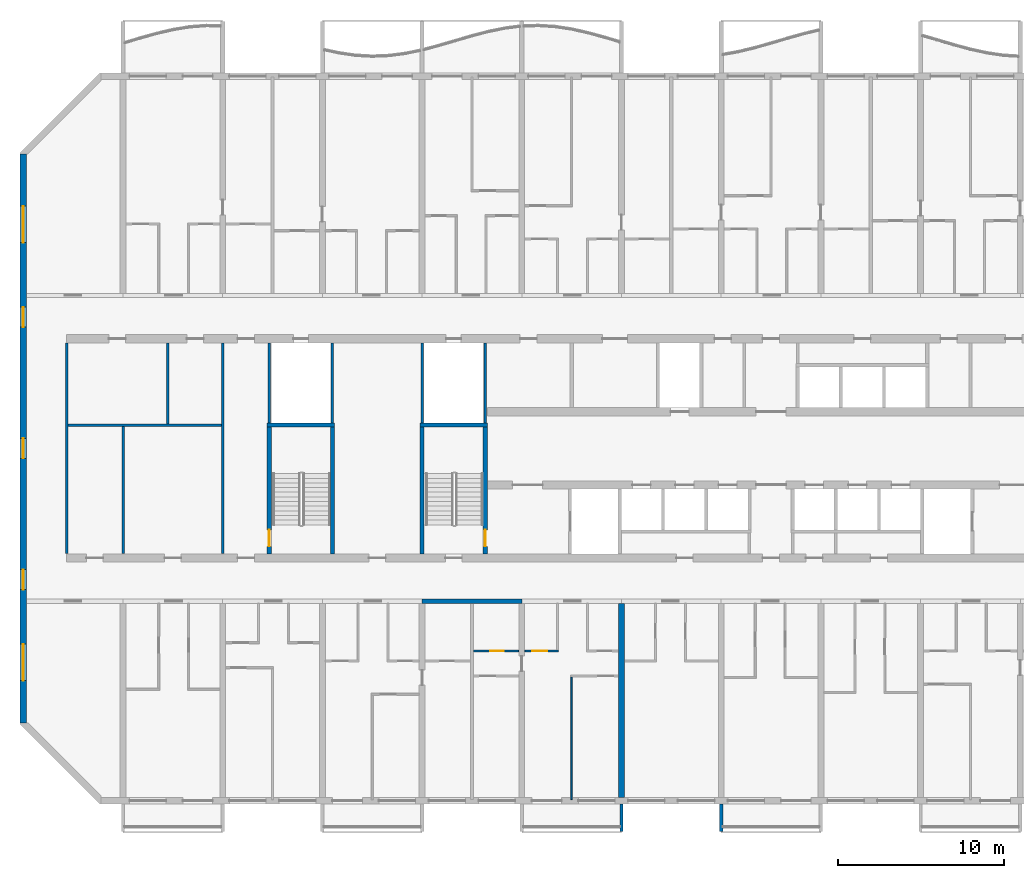
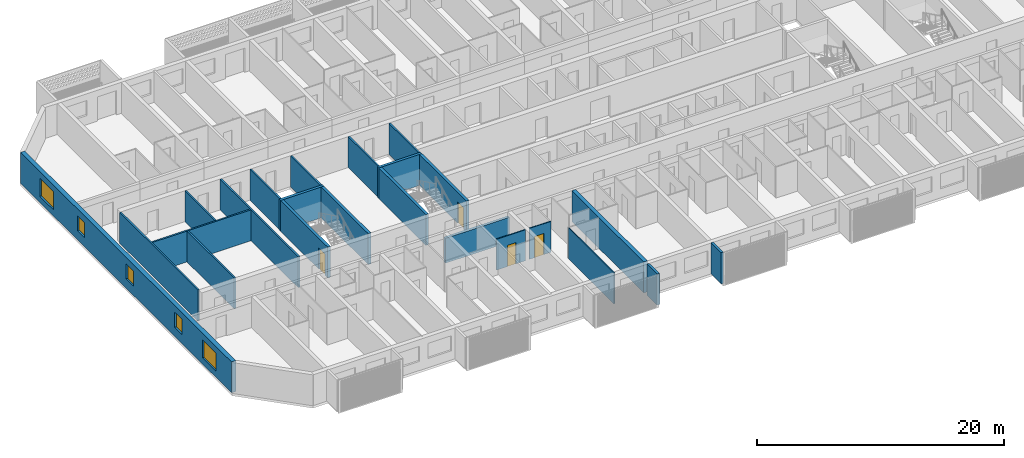
# One storey, part 3 of 25: 23 walls, 5 windows, 4 doors, 9 openings.
"""IFC4 building model written with IfcOpenShell, lengths in metres."""

from ifc_helpers import new_model, si_unit, direction, frame, frame_2d, origin, place, context, subcontext, project, spatial, polyline, rectangle, outline, extrude, source, transform, mapped, material, layer, layer_set, type_object, element, fill, save


model = new_model("IFC4")

# Units and contexts
model_context = context("Model", 3, precision=1e-05, world=origin(), true_north=direction((0.0, 1.0)))
body_context = subcontext(model_context, "Body", "Model", "MODEL_VIEW")
ifc_project = project(units=[si_unit("LENGTHUNIT", "METRE"), si_unit("AREAUNIT", "SQUARE_METRE"), si_unit("VOLUMEUNIT", "CUBIC_METRE"), si_unit("PLANEANGLEUNIT", "RADIAN"), si_unit("MASSUNIT", "GRAM", prefix="KILO")], contexts=[model_context])

# Site, building, storey
site_placement = place(None, origin())
site = spatial("IfcSite", under=ifc_project, at=site_placement, CompositionType="ELEMENT")
building_placement = place(site_placement, origin())
building = spatial("IfcBuilding", under=site, at=building_placement, Name="Poui Terraces", CompositionType="ELEMENT")
storey_placement = place(building_placement, frame((0.0, 0.0, 89.39990234375)))
storey = spatial("IfcBuildingStorey", under=building, at=storey_placement, Name="L24", CompositionType="ELEMENT", Elevation=89.39990234375)

# Walls
ifc_material_1 = material(Name="Fire-rated plasterboard wall")
ifc_layer_1 = layer(ifc_material_1, 0.14990234375)
ifc_layer_set_1 = layer_set([ifc_layer_1], Name="Fire-rated plasterboard wall")
wall_type_1 = type_object("IfcWallType", Name="CORRIDOR WALL 150", PredefinedType="PARTITIONING", material=ifc_layer_set_1)
for number, where, z_axis, x_axis, name in (
    (1, (8.60009765625, 14.860107421875, 0.0), (0.0, 0.0, 1.0), (0.0, 1.0, 0.0), "CORRIDOR WALL 150"),
    (2, (18.0, 14.860107421875, 0.0), (0.0, 0.0, 1.0), (0.0, 1.0, 0.0), "CORRIDOR WALL 150"),
):
    element("IfcWall", number, at=place(storey_placement, frame(where, z_axis=z_axis, x_axis=x_axis)), inside=storey, type_object=wall_type_1, Name=name, PredefinedType="PARTITIONING", context=body_context, shape_type="SweptSolid", body=[
        extrude(rectangle(XDim=12.679931640625, YDim=0.14990234375, at=frame_2d((6.33984375, 0.0))), origin(), (0.0, 0.0, 1.0), 3.06005859375),
    ])
ifc_material_2 = material(Name="Concrete 65 MPa", Category="concrete")
ifc_layer_2 = layer(ifc_material_2, 0.25)
ifc_layer_set_2 = layer_set([ifc_layer_2], Name="Concrete 65 MPa")
wall_type_2 = type_object("IfcWallType", Name="CORRIDOR WALL 250 65MPa", PredefinedType="SHEAR", material=ifc_layer_set_2)
wall_1_placement = place(storey_placement, frame((30.0, 12.0, 0.0), z_axis=(0.0, 0.0, 1.0), x_axis=(1.0, 0.0, 0.0)))
element("IfcWall", 3, at=wall_1_placement, inside=storey, type_object=wall_type_2, Name="CORRIDOR WALL LINE B BAY 5", PredefinedType="SHEAR", context=body_context, shape_type="SweptSolid", body=[
    extrude(rectangle(XDim=6.0, YDim=0.25, at=frame_2d((3.0, 0.0))), origin(), (0.0, 0.0, 1.0), 2.460205078125),
])
ifc_layer_3 = layer(ifc_material_2, 0.35009765625)
ifc_layer_set_3 = layer_set([ifc_layer_3], Name="Concrete 65 MPa")
wall_type_3 = type_object("IfcWallType", Name="CROSS WALL 350 65MPa", PredefinedType="SHEAR", material=ifc_layer_set_3)
wall_2_placement = place(storey_placement, frame((42.0, 0.199951171875, 0.0), z_axis=(0.0, 0.0, 1.0), x_axis=(0.0, 1.0, 0.0)))
element("IfcWall", 4, at=wall_2_placement, inside=storey, type_object=wall_type_3, Name="CROSS WALL LINE 8 SOUTH", PredefinedType="SHEAR", context=body_context, shape_type="SweptSolid", body=[
    extrude(rectangle(XDim=11.675048828125, YDim=0.35009765625, at=frame_2d((5.83740234375, 0.0))), origin(), (0.0, 0.0, 1.0), 3.06005859375),
])

# Wall, openings, windows
ifc_layer_4 = layer(ifc_material_2, 0.39990234375)
ifc_layer_set_4 = layer_set([ifc_layer_4], Name="Concrete 65 MPa")
wall_type_4 = type_object("IfcWallType", Name="END WALL 400 65MPa", PredefinedType="SHEAR", material=ifc_layer_set_4)
wall_3_placement = place(storey_placement, frame((6.0, 4.682861328125, 0.0), z_axis=(0.0, 0.0, 1.0), x_axis=(0.0, 1.0, 0.0)))
wall_3 = element("IfcWall", 5, at=wall_3_placement, inside=storey, type_object=wall_type_4, Name="END WALL WEST", PredefinedType="SHEAR", context=body_context, shape_type="SweptSolid", body=[
    extrude(rectangle(XDim=34.234375, YDim=0.39990234375, at=frame_2d((17.1171875, 0.0))), origin(), (0.0, 0.0, 1.0), 3.06005859375),
])
opening_1_placement = place(wall_3_placement, frame((23.817138671875, 0.0, 0.89990234375)))
opening_1 = element("IfcOpeningElement", 6, at=opening_1_placement, cuts=wall_3, Name="Opening W2", PredefinedType="OPENING", context=body_context, shape_type="SweptSolid", body=[
    extrude(rectangle(XDim=1.199951171875, YDim=1.5, at=frame_2d((0.60009765625, 0.75))), frame((0.0, 0.2099609375, 0.0), z_axis=(0.0, -1.0, 0.0), x_axis=(1.0, 0.0, 0.0)), (0.0, 0.0, 1.0), 0.419921875),
])
opening_2_placement = place(wall_3_placement, frame((8.01708984375, 0.0, 0.89990234375)))
opening_2 = element("IfcOpeningElement", 7, at=opening_2_placement, cuts=wall_3, Name="Opening W2", PredefinedType="OPENING", context=body_context, shape_type="SweptSolid", body=[
    extrude(rectangle(XDim=1.199951171875, YDim=1.5, at=frame_2d((0.60009765625, 0.75))), frame((0.0, 0.2099609375, 0.0), z_axis=(0.0, -1.0, 0.0), x_axis=(1.0, 0.0, 0.0)), (0.0, 0.0, 1.0), 0.419921875),
])
opening_3_placement = place(wall_3_placement, frame((15.917236328125, 0.0, 0.89990234375)))
opening_3 = element("IfcOpeningElement", 8, at=opening_3_placement, cuts=wall_3, Name="Opening W2", PredefinedType="OPENING", context=body_context, shape_type="SweptSolid", body=[
    extrude(rectangle(XDim=1.199951171875, YDim=1.5, at=frame_2d((0.60009765625, 0.75))), frame((0.0, 0.2099609375, 0.0), z_axis=(0.0, -1.0, 0.0), x_axis=(1.0, 0.0, 0.0)), (0.0, 0.0, 1.0), 0.419921875),
])
opening_4_placement = place(wall_3_placement, frame((28.8935546875, 0.0, 0.60009765625)))
opening_4 = element("IfcOpeningElement", 9, at=opening_4_placement, cuts=wall_3, Name="Opening W3", PredefinedType="OPENING", context=body_context, shape_type="SweptSolid", body=[
    extrude(rectangle(XDim=2.199951171875, YDim=1.800048828125, at=frame_2d((1.10009765625, 0.89990234375))), frame((0.0, 0.2099609375, 0.0), z_axis=(0.0, -1.0, 0.0), x_axis=(1.0, 0.0, 0.0)), (0.0, 0.0, 1.0), 0.419921875),
])
opening_5_placement = place(wall_3_placement, frame((2.541015625, 0.0, 0.60009765625)))
opening_5 = element("IfcOpeningElement", 10, at=opening_5_placement, cuts=wall_3, Name="Opening W3", PredefinedType="OPENING", context=body_context, shape_type="SweptSolid", body=[
    extrude(rectangle(XDim=2.199951171875, YDim=1.800048828125, at=frame_2d((1.10009765625, 0.89990234375))), frame((0.0, 0.2099609375, 0.0), z_axis=(0.0, -1.0, 0.0), x_axis=(1.0, 0.0, 0.0)), (0.0, 0.0, 1.0), 0.419921875),
])
ifc_material_3 = material(Name="Clear glass in aluminium frame", Category="aluminium")
window_type_1 = type_object("IfcWindowType", Name="WINDOW 1200X1500", PartitioningType="SINGLE_PANEL", PredefinedType="WINDOW", material=ifc_material_3)
window_1_placement = place(opening_1_placement, origin())
window_1 = element("IfcWindow", 11, at=window_1_placement, inside=storey, type_object=window_type_1, Name="W2 WINDOW", OverallHeight=1.5, OverallWidth=1.199951171875, PartitioningType="SINGLE_PANEL", PredefinedType="WINDOW", context=body_context, shape_type="SweptSolid", body=[
    extrude(rectangle(XDim=1.199951171875, YDim=1.5, at=frame_2d((0.60009765625, 0.75))), frame((0.0, 0.030029296875, 0.0), z_axis=(0.0, -1.0, 0.0), x_axis=(1.0, 0.0, 0.0)), (0.0, 0.0, 1.0), 0.06005859375),
])
fill(opening_1, window_1)
window_2_placement = place(opening_2_placement, origin())
window_2 = element("IfcWindow", 12, at=window_2_placement, inside=storey, type_object=window_type_1, Name="W2 WINDOW", OverallHeight=1.5, OverallWidth=1.199951171875, PartitioningType="SINGLE_PANEL", PredefinedType="WINDOW", context=body_context, shape_type="SweptSolid", body=[
    extrude(rectangle(XDim=1.199951171875, YDim=1.5, at=frame_2d((0.60009765625, 0.75))), frame((0.0, 0.030029296875, 0.0), z_axis=(0.0, -1.0, 0.0), x_axis=(1.0, 0.0, 0.0)), (0.0, 0.0, 1.0), 0.06005859375),
])
fill(opening_2, window_2)
window_3_placement = place(opening_3_placement, origin())
window_3 = element("IfcWindow", 13, at=window_3_placement, inside=storey, type_object=window_type_1, Name="W2 WINDOW", OverallHeight=1.5, OverallWidth=1.199951171875, PartitioningType="SINGLE_PANEL", PredefinedType="WINDOW", context=body_context, shape_type="SweptSolid", body=[
    extrude(rectangle(XDim=1.199951171875, YDim=1.5, at=frame_2d((0.60009765625, 0.75))), frame((0.0, 0.030029296875, 0.0), z_axis=(0.0, -1.0, 0.0), x_axis=(1.0, 0.0, 0.0)), (0.0, 0.0, 1.0), 0.06005859375),
])
fill(opening_3, window_3)
window_type_2 = type_object("IfcWindowType", Name="WINDOW 2200X1800", PartitioningType="DOUBLE_PANEL_HORIZONTAL", PredefinedType="WINDOW", material=ifc_material_3)
window_4_placement = place(opening_4_placement, origin())
window_4 = element("IfcWindow", 14, at=window_4_placement, inside=storey, type_object=window_type_2, Name="W3 WINDOW", OverallHeight=1.800048828125, OverallWidth=2.199951171875, PartitioningType="DOUBLE_PANEL_HORIZONTAL", PredefinedType="WINDOW", context=body_context, shape_type="SweptSolid", body=[
    extrude(rectangle(XDim=2.199951171875, YDim=1.800048828125, at=frame_2d((1.10009765625, 0.89990234375))), frame((0.0, 0.030029296875, 0.0), z_axis=(0.0, -1.0, 0.0), x_axis=(1.0, 0.0, 0.0)), (0.0, 0.0, 1.0), 0.06005859375),
])
fill(opening_4, window_4)
window_5_placement = place(opening_5_placement, origin())
window_5 = element("IfcWindow", 15, at=window_5_placement, inside=storey, type_object=window_type_2, Name="W3 WINDOW", OverallHeight=1.800048828125, OverallWidth=2.199951171875, PartitioningType="DOUBLE_PANEL_HORIZONTAL", PredefinedType="WINDOW", context=body_context, shape_type="SweptSolid", body=[
    extrude(rectangle(XDim=2.199951171875, YDim=1.800048828125, at=frame_2d((1.10009765625, 0.89990234375))), frame((0.0, 0.030029296875, 0.0), z_axis=(0.0, -1.0, 0.0), x_axis=(1.0, 0.0, 0.0)), (0.0, 0.0, 1.0), 0.06005859375),
])
fill(opening_5, window_5)

# Wall, opening, door
ifc_material_4 = material(Name="Plasterboard partition")
ifc_layer_5 = layer(ifc_material_4, 0.10009765625)
ifc_layer_set_5 = layer_set([ifc_layer_5], Name="Plasterboard partition")
wall_type_5 = type_object("IfcWallType", Name="FLAT PARTITION 100", PredefinedType="PARTITIONING", material=ifc_layer_set_5)
wall_4_placement = place(storey_placement, frame((33.10009765625, 9.0, 0.0), z_axis=(0.0, 0.0, 1.0), x_axis=(1.0, 0.0, 0.0)))
wall_4 = element("IfcWall", 16, at=wall_4_placement, inside=storey, type_object=wall_type_5, Name="FLAT PARTITION 100", PredefinedType="PARTITIONING", context=body_context, shape_type="SweptSolid", body=[
    extrude(rectangle(XDim=2.71484375, YDim=0.10009765625, at=frame_2d((1.357421875, 0.0))), origin(), (0.0, 0.0, 1.0), 3.06005859375),
])
opening_6_placement = place(wall_4_placement, frame((1.0, 0.0, 0.0)))
opening_6 = element("IfcOpeningElement", 17, at=opening_6_placement, cuts=wall_4, Name="Opening D80", PredefinedType="OPENING", context=body_context, shape_type="SweptSolid", body=[
    extrude(rectangle(XDim=0.800048828125, YDim=2.10009765625, at=frame_2d((0.39990234375, 1.050048828125))), frame((0.0, 0.06005859375, 0.0), z_axis=(0.0, -1.0, 0.0), x_axis=(1.0, 0.0, 0.0)), (0.0, 0.0, 1.0), 0.1201171875),
])
ifc_material_5 = material(Name="Solid core timber door", Category="wood")
door_type_1 = type_object("IfcDoorType", Name="BATHROOM, LAUNDRY AND STORE DOOR 800 X 2100", OperationType="NOTDEFINED", PredefinedType="DOOR", material=ifc_material_5)
door_1_placement = place(opening_6_placement, origin())
door_1 = element("IfcDoor", 18, at=door_1_placement, inside=storey, type_object=door_type_1, Name="BATHROOM, LAUNDRY AND STORE DOOR 100", OperationType="SINGLE_SWING_RIGHT", OverallHeight=2.10009765625, OverallWidth=0.800048828125, PredefinedType="DOOR", context=body_context, shape_type="SweptSolid", body=[
    extrude(rectangle(XDim=0.800048828125, YDim=2.10009765625, at=frame_2d((0.39990234375, 1.050048828125))), frame((0.0, 0.02490234375, 0.0), z_axis=(0.0, -1.0, 0.0), x_axis=(1.0, 0.0, 0.0)), (0.0, 0.0, 1.0), 0.050048828125),
])
fill(opening_6, door_1)

wall_5_placement = place(storey_placement, frame((36.18505859375, 9.0, 0.0), z_axis=(0.0, 0.0, 1.0), x_axis=(1.0, 0.0, 0.0)))
wall_5 = element("IfcWall", 19, at=wall_5_placement, inside=storey, type_object=wall_type_5, Name="FLAT PARTITION 100", PredefinedType="PARTITIONING", context=body_context, shape_type="SweptSolid", body=[
    extrude(rectangle(XDim=2.014892578125, YDim=0.10009765625, at=frame_2d((1.00732421875, 0.0))), origin(), (0.0, 0.0, 1.0), 3.06005859375),
])
opening_7_placement = place(wall_5_placement, frame((0.43994140625, 0.0, 0.0)))
opening_7 = element("IfcOpeningElement", 20, at=opening_7_placement, cuts=wall_5, Name="Opening D90", PredefinedType="OPENING", context=body_context, shape_type="SweptSolid", body=[
    extrude(rectangle(XDim=0.89990234375, YDim=2.10009765625, at=frame_2d((0.449951171875, 1.050048828125))), frame((0.0, 0.06005859375, 0.0), z_axis=(0.0, -1.0, 0.0), x_axis=(1.0, 0.0, 0.0)), (0.0, 0.0, 1.0), 0.1201171875),
])
door_type_2 = type_object("IfcDoorType", Name="INTERNAL DOOR 900 X 2100", OperationType="NOTDEFINED", PredefinedType="DOOR", material=ifc_material_5)
door_2_placement = place(opening_7_placement, origin())
door_2 = element("IfcDoor", 21, at=door_2_placement, inside=storey, type_object=door_type_2, Name="INTERNAL DOOR 102", OperationType="SINGLE_SWING_LEFT", OverallHeight=2.10009765625, OverallWidth=0.89990234375, PredefinedType="DOOR", context=body_context, shape_type="SweptSolid", body=[
    extrude(rectangle(XDim=0.89990234375, YDim=2.10009765625, at=frame_2d((0.449951171875, 1.050048828125))), frame((0.0, 0.02490234375, 0.0), z_axis=(0.0, -1.0, 0.0), x_axis=(1.0, 0.0, 0.0)), (0.0, 0.0, 1.0), 0.050048828125),
])
fill(opening_7, door_2)

# Walls
wall_6_placement = place(storey_placement, frame((39.0, 0.06005859375, 0.0), z_axis=(0.0, 0.0, 1.0), x_axis=(0.0, 1.0, 0.0)))
element("IfcWall", 22, at=wall_6_placement, inside=storey, type_object=wall_type_5, Name="FLAT PARTITION 100", PredefinedType="PARTITIONING", context=body_context, shape_type="SweptSolid", body=[
    extrude(rectangle(XDim=7.389892578125, YDim=0.10009765625, at=frame_2d((3.69482421875, 0.0))), origin(), (0.0, 0.0, 1.0), 3.06005859375),
])
ifc_layer_6 = layer(ifc_material_4, 0.14990234375)
ifc_layer_set_6 = layer_set([ifc_layer_6], Name="Plasterboard partition")
wall_type_6 = type_object("IfcWallType", Name="PARTITION WALL 150", PredefinedType="PARTITIONING", material=ifc_layer_set_6)
wall_7_placement = place(storey_placement, frame((8.675048828125, 22.60009765625, 0.0), z_axis=(0.0, 0.0, 1.0), x_axis=(1.0, 0.0, 0.0)))
element("IfcWall", 23, at=wall_7_placement, inside=storey, type_object=wall_type_6, Name="PARTITION WALL 150", PredefinedType="PARTITIONING", context=body_context, shape_type="SweptSolid", body=[
    extrude(rectangle(XDim=9.25, YDim=0.14990234375, at=frame_2d((4.625, 0.0))), origin(), (0.0, 0.0, 1.0), 3.06005859375),
])
wall_8_placement = place(storey_placement, frame((12.0, 14.860107421875, 0.0), z_axis=(0.0, 0.0, 1.0), x_axis=(0.0, 1.0, 0.0)))
element("IfcWall", 24, at=wall_8_placement, inside=storey, type_object=wall_type_6, Name="PARTITION WALL 150", PredefinedType="PARTITIONING", context=body_context, shape_type="SweptSolid", body=[
    extrude(rectangle(XDim=7.664794921875, YDim=0.14990234375, at=frame_2d((3.83251953125, 0.0))), origin(), (0.0, 0.0, 1.0), 3.06005859375),
])
wall_9_placement = place(storey_placement, frame((14.699951171875, 22.675048828125, 0.0), z_axis=(0.0, 0.0, 1.0), x_axis=(0.0, 1.0, 0.0)))
element("IfcWall", 25, at=wall_9_placement, inside=storey, type_object=wall_type_6, Name="PARTITION WALL 150", PredefinedType="PARTITIONING", context=body_context, shape_type="SweptSolid", body=[
    extrude(rectangle(XDim=4.864990234375, YDim=0.14990234375, at=frame_2d((2.4326171875, 0.0))), origin(), (0.0, 0.0, 1.0), 3.06005859375),
])
ifc_material_6 = material(Name="Fire-rated plasterboard riser wall")
ifc_layer_7 = layer(ifc_material_6, 0.14990234375)
ifc_layer_set_7 = layer_set([ifc_layer_7], Name="Fire-rated plasterboard riser wall")
wall_type_7 = type_object("IfcWallType", Name="RISER WALL 150", PredefinedType="PARTITIONING", material=ifc_layer_set_7)
for number, where, z_axis, x_axis, name in (
    (26, (20.800048828125, 22.735107421875, 0.0), (0.0, 0.0, 1.0), (0.0, 1.0, 0.0), "RISER WALL 150"),
    (27, (24.60009765625, 22.735107421875, 0.0), (0.0, 0.0, 1.0), (0.0, 1.0, 0.0), "RISER WALL 150"),
    (28, (30.0, 22.735107421875, 0.0), (0.0, 0.0, 1.0), (0.0, 1.0, 0.0), "RISER WALL 150"),
    (29, (33.800048828125, 22.735107421875, 0.0), (0.0, 0.0, 1.0), (0.0, 1.0, 0.0), "RISER WALL 150"),
):
    element("IfcWall", number, at=place(storey_placement, frame(where, z_axis=z_axis, x_axis=x_axis)), inside=storey, type_object=wall_type_7, Name=name, PredefinedType="PARTITIONING", context=body_context, shape_type="SweptSolid", body=[
        extrude(rectangle(XDim=4.804931640625, YDim=0.14990234375, at=frame_2d((2.40234375, 0.0))), origin(), (0.0, 0.0, 1.0), 3.06005859375),
    ])
ifc_layer_8 = layer(ifc_material_2, 0.25)
ifc_layer_set_8 = layer_set([ifc_layer_8], Name="Concrete 65 MPa")
wall_type_8 = type_object("IfcWallType", Name="STAIR CORE WALL 250 65 MPA", PredefinedType="SOLIDWALL", material=ifc_layer_set_8)
wall_10_placement = place(storey_placement, frame((30.0, 14.85009765625, 0.0), z_axis=(0.0, 0.0, 1.0), x_axis=(0.0, 1.0, 0.0)))
element("IfcWall", 30, at=wall_10_placement, inside=storey, type_object=wall_type_8, Name="STAIR CORE WALL", PredefinedType="SOLIDWALL", context=body_context, shape_type="SweptSolid", body=[
    extrude(rectangle(XDim=7.625, YDim=0.25, at=frame_2d((3.8125, 0.0))), origin(), (0.0, 0.0, 1.0), 3.06005859375),
])

# Wall, opening, door
wall_11_placement = place(storey_placement, frame((33.800048828125, 14.85009765625, 0.0), z_axis=(0.0, 0.0, 1.0), x_axis=(0.0, 1.0, 0.0)))
wall_11 = element("IfcWall", 31, at=wall_11_placement, inside=storey, type_object=wall_type_8, Name="STAIR CORE WALL", PredefinedType="SOLIDWALL", context=body_context, shape_type="SweptSolid", body=[
    extrude(rectangle(XDim=7.625, YDim=0.25, at=frame_2d((3.8125, 0.0))), origin(), (0.0, 0.0, 1.0), 3.06005859375),
])
opening_8_placement = place(wall_11_placement, frame((0.449951171875, 0.0, 0.0)))
opening_8 = element("IfcOpeningElement", 32, at=opening_8_placement, cuts=wall_11, Name="Opening FD60S", PredefinedType="OPENING", context=body_context, shape_type="SweptSolid", body=[
    extrude(rectangle(XDim=1.0, YDim=2.10009765625, at=frame_2d((0.5, 1.050048828125))), frame((0.0, 0.135009765625, 0.0), z_axis=(0.0, -1.0, 0.0), x_axis=(1.0, 0.0, 0.0)), (0.0, 0.0, 1.0), 0.27001953125),
])
ifc_material_7 = material(Name="Steel fire door", Category="steel")
door_type_3 = type_object("IfcDoorType", Name="STAIR DOOR 1000 X 2100", OperationType="NOTDEFINED", PredefinedType="DOOR", material=ifc_material_7)
door_3_placement = place(opening_8_placement, origin())
door_3 = element("IfcDoor", 33, at=door_3_placement, inside=storey, type_object=door_type_3, Name="STAIR DOOR 138", OperationType="SINGLE_SWING_LEFT", OverallHeight=2.10009765625, OverallWidth=1.0, PredefinedType="DOOR", context=body_context, shape_type="SweptSolid", body=[
    extrude(rectangle(XDim=1.0, YDim=2.10009765625, at=frame_2d((0.5, 1.050048828125))), frame((0.0, 0.02490234375, 0.0), z_axis=(0.0, -1.0, 0.0), x_axis=(1.0, 0.0, 0.0)), (0.0, 0.0, 1.0), 0.050048828125),
])
fill(opening_8, door_3)

# Wall
wall_12_placement = place(storey_placement, frame((29.875, 22.60009765625, 0.0), z_axis=(0.0, 0.0, 1.0), x_axis=(1.0, 0.0, 0.0)))
element("IfcWall", 34, at=wall_12_placement, inside=storey, type_object=wall_type_8, Name="STAIR CORE WALL", PredefinedType="SOLIDWALL", context=body_context, shape_type="SweptSolid", body=[
    extrude(rectangle(XDim=4.050048828125, YDim=0.25, at=frame_2d((2.02490234375, 0.0))), origin(), (0.0, 0.0, 1.0), 3.06005859375),
])

# Wall, opening, door
wall_13_placement = place(storey_placement, frame((20.800048828125, 14.85009765625, 0.0), z_axis=(0.0, 0.0, 1.0), x_axis=(0.0, 1.0, 0.0)))
wall_13 = element("IfcWall", 35, at=wall_13_placement, inside=storey, type_object=wall_type_8, Name="STAIR CORE WALL", PredefinedType="SOLIDWALL", context=body_context, shape_type="SweptSolid", body=[
    extrude(rectangle(XDim=7.625, YDim=0.25, at=frame_2d((3.8125, 0.0))), origin(), (0.0, 0.0, 1.0), 3.06005859375),
])
opening_9_placement = place(wall_13_placement, frame((0.449951171875, 0.0, 0.0)))
opening_9 = element("IfcOpeningElement", 36, at=opening_9_placement, cuts=wall_13, Name="Opening FD60S", PredefinedType="OPENING", context=body_context, shape_type="SweptSolid", body=[
    extrude(rectangle(XDim=1.0, YDim=2.10009765625, at=frame_2d((0.5, 1.050048828125))), frame((0.0, 0.135009765625, 0.0), z_axis=(0.0, -1.0, 0.0), x_axis=(1.0, 0.0, 0.0)), (0.0, 0.0, 1.0), 0.27001953125),
])
door_4_placement = place(opening_9_placement, frame((1.0, 0.0, 0.0), z_axis=(0.0, 0.0, 1.0), x_axis=(-1.0, 0.0, 0.0)))
door_4 = element("IfcDoor", 37, at=door_4_placement, inside=storey, type_object=door_type_3, Name="STAIR DOOR 152", OperationType="SINGLE_SWING_RIGHT", OverallHeight=2.10009765625, OverallWidth=1.0, PredefinedType="DOOR", context=body_context, shape_type="SweptSolid", body=[
    extrude(rectangle(XDim=1.0, YDim=2.10009765625, at=frame_2d((0.5, 1.050048828125))), frame((0.0, 0.02490234375, 0.0), z_axis=(0.0, -1.0, 0.0), x_axis=(1.0, 0.0, 0.0)), (0.0, 0.0, 1.0), 0.050048828125),
])
fill(opening_9, door_4)

# Walls
wall_14_placement = place(storey_placement, frame((24.60009765625, 14.85009765625, 0.0), z_axis=(0.0, 0.0, 1.0), x_axis=(0.0, 1.0, 0.0)))
element("IfcWall", 38, at=wall_14_placement, inside=storey, type_object=wall_type_8, Name="STAIR CORE WALL", PredefinedType="SOLIDWALL", context=body_context, shape_type="SweptSolid", body=[
    extrude(rectangle(XDim=7.625, YDim=0.25, at=frame_2d((3.8125, 0.0))), origin(), (0.0, 0.0, 1.0), 3.06005859375),
])
wall_15_placement = place(storey_placement, frame((20.675048828125, 22.60009765625, 0.0), z_axis=(0.0, 0.0, 1.0), x_axis=(1.0, 0.0, 0.0)))
element("IfcWall", 39, at=wall_15_placement, inside=storey, type_object=wall_type_8, Name="STAIR CORE WALL", PredefinedType="SOLIDWALL", context=body_context, shape_type="SweptSolid", body=[
    extrude(rectangle(XDim=4.050048828125, YDim=0.25, at=frame_2d((2.02490234375, 0.0))), origin(), (0.0, 0.0, 1.0), 3.06005859375),
])
ifc_material_8 = material(Name="Precast concrete 40 MPa", Category="concrete")
ifc_layer_9 = layer(ifc_material_8, 0.199951171875)
ifc_layer_set_9 = layer_set([ifc_layer_9], Name="Precast concrete 40 MPa")
wall_type_9 = type_object("IfcWallType", Name="REAR FIN 200", PredefinedType="STANDARD", material=ifc_layer_set_9)
shared_shape = source(origin(), body_context, "Body", "SweptSolid", [
    extrude(outline(polyline([(0.0, 0.0), (0.2001953125, 0.0), (0.2001953125, 1.650146484375), (0.0, 1.650146484375), (0.0, 0.0)])), origin(), (0.0, 0.0, 1.0), 3.10009765625),
])
for number, where, name in (
    (40, (41.89990234375, -1.85009765625, 0.0), "REAR FIN"),
    (41, (47.89990234375, -1.85009765625, 0.0), "REAR FIN"),
):
    element("IfcWall", number, at=place(storey_placement, frame(where)), inside=storey, type_object=wall_type_9, Name=name, PredefinedType="STANDARD", context=body_context, shape_type="MappedRepresentation", body=[
        mapped(shared_shape, transform((0.0, 0.0, 0.0))),
    ])

save(model, "model.ifc")
